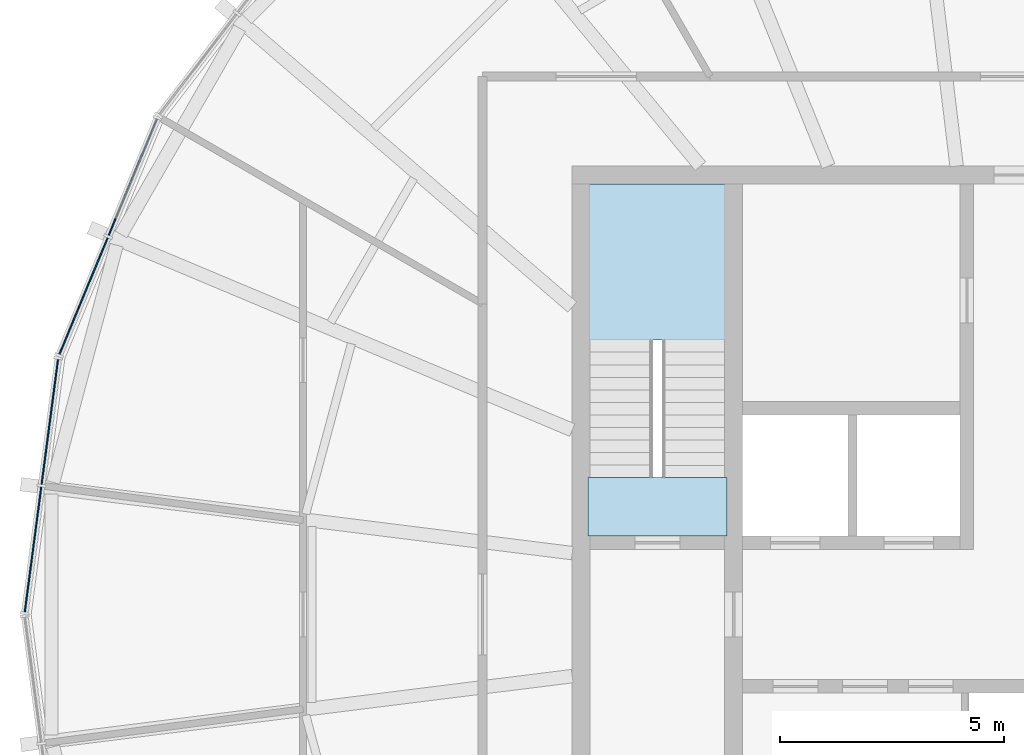
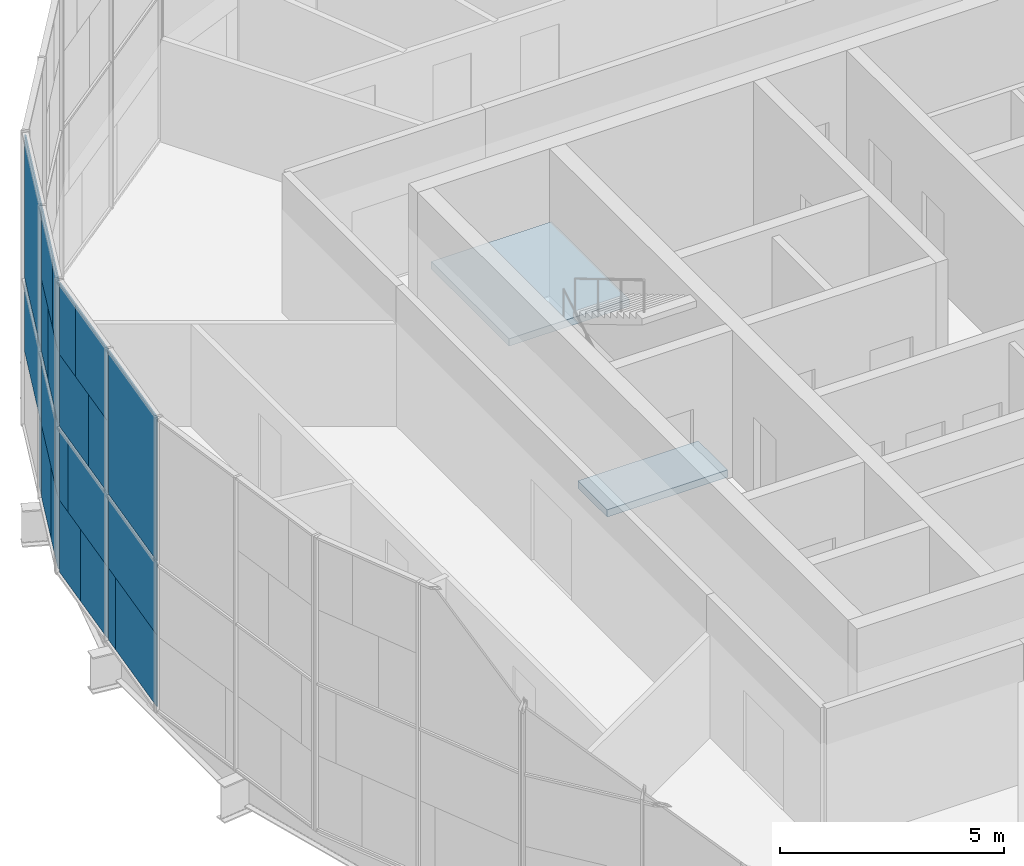
# One storey, part 10 of 19: 23 plates, 2 slabs, 3 elements without a shape of their own.
"""IFC4 building model written with IfcOpenShell, lengths in metres."""

from ifc_helpers import new_model, si_unit, direction, frame, origin, origin_2d, place, context, subcontext, project, spatial, polyline, rectangle, outline, extrude, material, layer, layer_set, type_object, element, aggregate, save


model = new_model("IFC4")

# Units and contexts
model_context = context("Model", 3, precision=1e-05, world=origin(), true_north=direction((0.0, 1.0)))
body_context = subcontext(model_context, "Body", "Model", "MODEL_VIEW")
ifc_project = project(units=[si_unit("LENGTHUNIT", "METRE"), si_unit("AREAUNIT", "SQUARE_METRE"), si_unit("VOLUMEUNIT", "CUBIC_METRE"), si_unit("PLANEANGLEUNIT", "RADIAN"), si_unit("MASSUNIT", "GRAM", prefix="KILO")], contexts=[model_context])

# Site, building, storey
site_placement = place(None, origin())
site = spatial("IfcSite", under=ifc_project, at=site_placement, CompositionType="ELEMENT")
building_placement = place(site_placement, origin())
building = spatial("IfcBuilding", under=site, at=building_placement, Name="Golbaran Civic Tower", CompositionType="ELEMENT")
storey_placement = place(building_placement, frame((0.0, 0.0, 256.0)))
storey = spatial("IfcBuildingStorey", under=building, at=storey_placement, Name="L62", CompositionType="ELEMENT", Elevation=256.0)

# Curtain wall, plates
ifc_material_1 = material(Name="Aluminium and glass", Category="aluminium")
curtain_wall_type = type_object("IfcCurtainWallType", Name="INNER SKIN CURTAIN WALL EXECUTIVE", PredefinedType="NOTDEFINED", material=ifc_material_1)
curtain_wall_1_placement = place(storey_placement, origin())
curtain_wall_1 = element("IfcCurtainWall", 1, at=curtain_wall_1_placement, inside=storey, type_object=curtain_wall_type, Name="Inner skin L62 facet 11 CW2", ObjectType="INNER SKIN", PredefinedType="USERDEFINED")
ifc_material_2 = material(Name="Clear insulating glass", Category="glass")
ifc_layer_1 = layer(ifc_material_2, 0.031982421875, Name="Clear insulating glass")
ifc_layer_set_1 = layer_set([ifc_layer_1], Name="Clear insulating glass")
plate_type_1 = type_object("IfcPlateType", Name="INNER SKIN CURTAIN WALL EXECUTIVE GLAZED PANEL", PredefinedType="CURTAIN_PANEL", material=ifc_layer_set_1)
plate_1_placement = place(storey_placement, frame((-19.797607421875, 9.75341796875, 2.014892578125), z_axis=(0.0, 0.0, 1.0), x_axis=(-0.382683432365, -0.923879532511, 0.0)))
plate_1 = element("IfcPlate", 2, at=plate_1_placement, type_object=plate_type_1, Name="CW2 panel 1.1 part 3", PredefinedType="CURTAIN_PANEL", context=body_context, shape_type="SweptSolid", body=[
    extrude(rectangle(XDim=2.809326171875, YDim=0.031982421875, at=origin_2d()), origin(), (0.0, 0.0, 1.0), 1.955078125),
])
plate_2_placement = place(storey_placement, frame((-19.797607421875, 9.75341796875, 4.0302734375), z_axis=(0.0, 0.0, 1.0), x_axis=(-0.382683432365, -0.923879532511, 0.0)))
plate_2 = element("IfcPlate", 3, at=plate_2_placement, type_object=plate_type_1, Name="CW2 panel 1.2", PredefinedType="CURTAIN_PANEL", context=body_context, shape_type="SweptSolid", body=[
    extrude(rectangle(XDim=2.809326171875, YDim=0.031982421875, at=origin_2d()), origin(), (0.0, 0.0, 1.0), 3.909912109375),
])
plate_3_placement = place(storey_placement, frame((-21.1982421875, 6.37158203125, 0.06005859375), z_axis=(0.0, 0.0, 1.0), x_axis=(-0.382683432365, -0.923879532511, 0.0)))
plate_3 = element("IfcPlate", 4, at=plate_3_placement, type_object=plate_type_1, Name="CW2 panel 2.1 part 2", PredefinedType="CURTAIN_PANEL", context=body_context, shape_type="SweptSolid", body=[
    extrude(rectangle(XDim=1.227294921875, YDim=0.031982421875, at=origin_2d()), origin(), (0.0, 0.0, 1.0), 1.955078125),
])
plate_4_placement = place(storey_placement, frame((-21.33984375, 6.02978515625, 2.014892578125), z_axis=(0.0, 0.0, 1.0), x_axis=(-0.382683432365, -0.923879532511, 0.0)))
plate_4 = element("IfcPlate", 5, at=plate_4_placement, type_object=plate_type_1, Name="CW2 panel 2.1 part 4", PredefinedType="CURTAIN_PANEL", context=body_context, shape_type="SweptSolid", body=[
    extrude(rectangle(XDim=0.4873046875, YDim=0.031982421875, at=origin_2d()), origin(), (0.0, 0.0, 1.0), 1.955078125),
])
plate_5_placement = place(storey_placement, frame((-20.572021484375, 7.883544921875, 4.030029296875), z_axis=(0.0, 0.0, 1.0), x_axis=(-0.382683432365, -0.923879532511, 0.0)))
plate_5 = element("IfcPlate", 6, at=plate_5_placement, type_object=plate_type_1, Name="CW2 panel 2.2 part 1", PredefinedType="CURTAIN_PANEL", context=body_context, shape_type="SweptSolid", body=[
    extrude(rectangle(XDim=1.117919921875, YDim=0.031982421875, at=origin_2d()), origin(), (0.0, 0.0, 1.0), 1.955078125),
])
plate_6_placement = place(storey_placement, frame((-20.71337890625, 7.542236328125, 5.98486328125), z_axis=(0.0, 0.0, 1.0), x_axis=(-0.382683432365, -0.923879532511, 0.0)))
plate_6 = element("IfcPlate", 7, at=plate_6_placement, type_object=plate_type_1, Name="CW2 panel 2.2 part 3", PredefinedType="CURTAIN_PANEL", context=body_context, shape_type="SweptSolid", body=[
    extrude(rectangle(XDim=1.85693359375, YDim=0.031982421875, at=origin_2d()), origin(), (0.0, 0.0, 1.0), 1.955078125),
])

curtain_wall_2_placement = place(storey_placement, origin())
curtain_wall_2 = element("IfcCurtainWall", 8, at=curtain_wall_2_placement, inside=storey, type_object=curtain_wall_type, Name="Inner skin L62 facet 12 CW2", ObjectType="INNER SKIN", PredefinedType="USERDEFINED")
plate_7_placement = place(storey_placement, frame((-21.5439453125, 5.081298828125, 0.06005859375), z_axis=(0.0, 0.0, 1.0), x_axis=(-0.130526192272, -0.991444861367, 0.0)))
plate_7 = element("IfcPlate", 9, at=plate_7_placement, type_object=plate_type_1, Name="CW2 panel 1.1 part 1", PredefinedType="CURTAIN_PANEL", context=body_context, shape_type="SweptSolid", body=[
    extrude(rectangle(XDim=1.22705078125, YDim=0.031982421875, at=origin_2d()), origin(), (0.0, 0.0, 1.0), 1.955078125),
])
plate_8_placement = place(storey_placement, frame((-21.495849609375, 5.44775390625, 2.014892578125), z_axis=(0.0, 0.0, 1.0), x_axis=(-0.130526192272, -0.991444861367, 0.0)))
plate_8 = element("IfcPlate", 10, at=plate_8_placement, type_object=plate_type_1, Name="CW2 panel 1.1 part 3", PredefinedType="CURTAIN_PANEL", context=body_context, shape_type="SweptSolid", body=[
    extrude(rectangle(XDim=0.488037109375, YDim=0.031982421875, at=origin_2d()), origin(), (0.0, 0.0, 1.0), 1.955078125),
])
plate_9_placement = place(storey_placement, frame((-21.7578125, 3.458251953125, 4.030029296875), z_axis=(0.0, 0.0, 1.0), x_axis=(-0.130526192272, -0.991444861367, 0.0)))
plate_9 = element("IfcPlate", 11, at=plate_9_placement, type_object=plate_type_1, Name="CW2 panel 1.2 part 2", PredefinedType="CURTAIN_PANEL", context=body_context, shape_type="SweptSolid", body=[
    extrude(rectangle(XDim=1.117431640625, YDim=0.031982421875, at=origin_2d()), origin(), (0.0, 0.0, 1.0), 1.955078125),
])
plate_10_placement = place(storey_placement, frame((-21.70947265625, 3.824951171875, 5.98486328125), z_axis=(0.0, 0.0, 1.0), x_axis=(-0.130526192272, -0.991444861367, 0.0)))
plate_10 = element("IfcPlate", 12, at=plate_10_placement, type_object=plate_type_1, Name="CW2 panel 1.2 part 4", PredefinedType="CURTAIN_PANEL", context=body_context, shape_type="SweptSolid", body=[
    extrude(rectangle(XDim=1.857421875, YDim=0.031982421875, at=origin_2d()), origin(), (0.0, 0.0, 1.0), 1.955078125),
])
plate_11_placement = place(storey_placement, frame((-22.0478515625, 1.25390625, 0.06005859375), z_axis=(0.0, 0.0, 1.0), x_axis=(-0.130526192272, -0.991444861367, 0.0)))
plate_11 = element("IfcPlate", 13, at=plate_11_placement, type_object=plate_type_1, Name="CW2 panel 2.1 part 2", PredefinedType="CURTAIN_PANEL", context=body_context, shape_type="SweptSolid", body=[
    extrude(rectangle(XDim=2.409423828125, YDim=0.031982421875, at=origin_2d()), origin(), (0.0, 0.0, 1.0), 1.955078125),
])
plate_12_placement = place(storey_placement, frame((-22.021728515625, 1.4521484375, 2.014892578125), z_axis=(0.0, 0.0, 1.0), x_axis=(-0.130526192272, -0.991444861367, 0.0)))
plate_12 = element("IfcPlate", 14, at=plate_12_placement, type_object=plate_type_1, Name="CW2 panel 2.1 part 3", PredefinedType="CURTAIN_PANEL", context=body_context, shape_type="SweptSolid", body=[
    extrude(rectangle(XDim=2.809326171875, YDim=0.031982421875, at=origin_2d()), origin(), (0.0, 0.0, 1.0), 1.955078125),
])
plate_13_placement = place(storey_placement, frame((-22.021728515625, 1.4521484375, 4.0302734375), z_axis=(0.0, 0.0, 1.0), x_axis=(-0.130526192272, -0.991444861367, 0.0)))
plate_13 = element("IfcPlate", 15, at=plate_13_placement, type_object=plate_type_1, Name="CW2 panel 2.2", PredefinedType="CURTAIN_PANEL", context=body_context, shape_type="SweptSolid", body=[
    extrude(rectangle(XDim=2.809326171875, YDim=0.031982421875, at=origin_2d()), origin(), (0.0, 0.0, 1.0), 3.909912109375),
])

# Plate
ifc_material_3 = material(Name="Aluminium faced opaque infill panel", Category="aluminium")
ifc_layer_2 = layer(ifc_material_3, 0.031982421875, Name="Aluminium faced opaque infill panel")
ifc_layer_set_2 = layer_set([ifc_layer_2], Name="Aluminium faced opaque infill panel")
plate_type_2 = type_object("IfcPlateType", Name="INNER SKIN CURTAIN WALL EXECUTIVE OPAQUE INFILL PANEL", PredefinedType="CURTAIN_PANEL", material=ifc_layer_set_2)
plate_14_placement = place(storey_placement, frame((-20.25830078125, 8.640869140625, 0.06005859375), z_axis=(0.0, 0.0, 1.0), x_axis=(-0.382683432365, -0.923879532511, 0.0)))
plate_14 = element("IfcPlate", 16, at=plate_14_placement, type_object=plate_type_2, Name="CW2 infill panel 1.1 part 2", PredefinedType="CURTAIN_PANEL", context=body_context, shape_type="SweptSolid", body=[
    extrude(rectangle(XDim=0.4013671875, YDim=0.031982421875, at=origin_2d()), origin(), (0.0, 0.0, 1.0), 1.955078125),
])

plate_15_placement = place(storey_placement, frame((-20.66064453125, 7.66943359375, 0.06005859375), z_axis=(0.0, 0.0, 1.0), x_axis=(-0.382683432365, -0.923879532511, 0.0)))
plate_15 = element("IfcPlate", 17, at=plate_15_placement, type_object=plate_type_2, Name="CW2 infill panel 2.1 part 1", PredefinedType="CURTAIN_PANEL", context=body_context, shape_type="SweptSolid", body=[
    extrude(rectangle(XDim=1.58203125, YDim=0.031982421875, at=origin_2d()), origin(), (0.0, 0.0, 1.0), 1.955078125),
])

plate_16_placement = place(storey_placement, frame((-20.80224609375, 7.327392578125, 2.014892578125), z_axis=(0.0, 0.0, 1.0), x_axis=(-0.382683432365, -0.923879532511, 0.0)))
plate_16 = element("IfcPlate", 18, at=plate_16_placement, type_object=plate_type_2, Name="CW2 infill panel 2.1 part 3", PredefinedType="CURTAIN_PANEL", context=body_context, shape_type="SweptSolid", body=[
    extrude(rectangle(XDim=2.322021484375, YDim=0.031982421875, at=origin_2d()), origin(), (0.0, 0.0, 1.0), 1.955078125),
])

plate_17_placement = place(storey_placement, frame((-21.109619140625, 6.5859375, 4.030029296875), z_axis=(0.0, 0.0, 1.0), x_axis=(-0.382683432365, -0.923879532511, 0.0)))
plate_17 = element("IfcPlate", 19, at=plate_17_placement, type_object=plate_type_2, Name="CW2 infill panel 2.2 part 2", PredefinedType="CURTAIN_PANEL", context=body_context, shape_type="SweptSolid", body=[
    extrude(rectangle(XDim=1.69140625, YDim=0.031982421875, at=origin_2d()), origin(), (0.0, 0.0, 1.0), 1.955078125),
])

plate_18_placement = place(storey_placement, frame((-21.2509765625, 6.24462890625, 5.98486328125), z_axis=(0.0, 0.0, 1.0), x_axis=(-0.382683432365, -0.923879532511, 0.0)))
plate_18 = element("IfcPlate", 20, at=plate_18_placement, type_object=plate_type_2, Name="CW2 infill panel 2.2 part 4", PredefinedType="CURTAIN_PANEL", context=body_context, shape_type="SweptSolid", body=[
    extrude(rectangle(XDim=0.952392578125, YDim=0.031982421875, at=origin_2d()), origin(), (0.0, 0.0, 1.0), 1.955078125),
])

aggregate(curtain_wall_1, [plate_14, plate_1, plate_2, plate_15, plate_3, plate_16, plate_4, plate_5, plate_17, plate_6, plate_18])

plate_19_placement = place(storey_placement, frame((-21.727294921875, 3.688720703125, 0.06005859375), z_axis=(0.0, 0.0, 1.0), x_axis=(-0.130526192272, -0.991444861367, 0.0)))
plate_19 = element("IfcPlate", 21, at=plate_19_placement, type_object=plate_type_2, Name="CW2 infill panel 1.1 part 2", PredefinedType="CURTAIN_PANEL", context=body_context, shape_type="SweptSolid", body=[
    extrude(rectangle(XDim=1.582275390625, YDim=0.031982421875, at=origin_2d()), origin(), (0.0, 0.0, 1.0), 1.955078125),
])

plate_20_placement = place(storey_placement, frame((-21.67919921875, 4.05517578125, 2.014892578125), z_axis=(0.0, 0.0, 1.0), x_axis=(-0.130526192272, -0.991444861367, 0.0)))
plate_20 = element("IfcPlate", 22, at=plate_20_placement, type_object=plate_type_2, Name="CW2 infill panel 1.1 part 4", PredefinedType="CURTAIN_PANEL", context=body_context, shape_type="SweptSolid", body=[
    extrude(rectangle(XDim=2.3212890625, YDim=0.031982421875, at=origin_2d()), origin(), (0.0, 0.0, 1.0), 1.955078125),
])

plate_21_placement = place(storey_placement, frame((-21.574462890625, 4.850830078125, 4.030029296875), z_axis=(0.0, 0.0, 1.0), x_axis=(-0.130526192272, -0.991444861367, 0.0)))
plate_21 = element("IfcPlate", 23, at=plate_21_placement, type_object=plate_type_2, Name="CW2 infill panel 1.2 part 1", PredefinedType="CURTAIN_PANEL", context=body_context, shape_type="SweptSolid", body=[
    extrude(rectangle(XDim=1.69189453125, YDim=0.031982421875, at=origin_2d()), origin(), (0.0, 0.0, 1.0), 1.955078125),
])

plate_22_placement = place(storey_placement, frame((-21.526123046875, 5.2177734375, 5.98486328125), z_axis=(0.0, 0.0, 1.0), x_axis=(-0.130526192272, -0.991444861367, 0.0)))
plate_22 = element("IfcPlate", 24, at=plate_22_placement, type_object=plate_type_2, Name="CW2 infill panel 1.2 part 3", PredefinedType="CURTAIN_PANEL", context=body_context, shape_type="SweptSolid", body=[
    extrude(rectangle(XDim=0.951904296875, YDim=0.031982421875, at=origin_2d()), origin(), (0.0, 0.0, 1.0), 1.955078125),
])

plate_23_placement = place(storey_placement, frame((-21.864501953125, 2.646484375, 0.06005859375), z_axis=(0.0, 0.0, 1.0), x_axis=(-0.130526192272, -0.991444861367, 0.0)))
plate_23 = element("IfcPlate", 25, at=plate_23_placement, type_object=plate_type_2, Name="CW2 infill panel 2.1 part 1", PredefinedType="CURTAIN_PANEL", context=body_context, shape_type="SweptSolid", body=[
    extrude(rectangle(XDim=0.39990234375, YDim=0.031982421875, at=origin_2d()), origin(), (0.0, 0.0, 1.0), 1.955078125),
])

aggregate(curtain_wall_2, [plate_7, plate_19, plate_8, plate_20, plate_21, plate_9, plate_22, plate_10, plate_23, plate_11, plate_12, plate_13])

# Stair, slab
ifc_material_4 = material(Name="Concrete C35/45", Category="concrete")
stair_type = type_object("IfcStairType", Name="EXIT STAIR 3000 x 7850, 4000 RISE", PredefinedType="HALF_TURN_STAIR", material=ifc_material_4)
stair_placement = place(storey_placement, origin())
stair = element("IfcStair", 26, at=stair_placement, inside=storey, type_object=stair_type, Name="Stair S1 L62", PredefinedType="HALF_TURN_STAIR")
ifc_layer_3 = layer(ifc_material_4, 0.199951171875, Name="Concrete C35/45")
ifc_layer_set_3 = layer_set([ifc_layer_3], Name="Concrete C35/45")
slab_type = type_object("IfcSlabType", Name="STAIR LANDING 200", PredefinedType="LANDING", material=ifc_layer_set_3)
slab_1_placement = place(storey_placement, frame((0.0, 0.0, 1.800048828125)))
slab_1 = element("IfcSlab", 27, at=slab_1_placement, type_object=slab_type, Name="ST30078-40 landing 1", PredefinedType="LANDING", context=body_context, shape_type="SweptSolid", body=[
    extrude(outline(polyline([(-9.64990234375, 6.125), (-9.64990234375, 9.60009765625), (-6.550048828125, 9.60009765625), (-6.550048828125, 6.125), (-9.64990234375, 6.125)])), origin(), (0.0, 0.0, 1.0), 0.199951171875),
])
aggregate(stair, [slab_1])

# Slab
slab_2_placement = place(storey_placement, frame((0.0, 0.0, -0.199951171875)))
element("IfcSlab", 28, at=slab_2_placement, inside=storey, type_object=slab_type, Name="Stair S1 floor landing L62", PredefinedType="LANDING", context=body_context, shape_type="SweptSolid", body=[
    extrude(outline(polyline([(-9.64990234375, 1.75), (-9.64990234375, 3.054931640625), (-6.550048828125, 3.054931640625), (-6.550048828125, 1.75), (-9.64990234375, 1.75)])), origin(), (0.0, 0.0, 1.0), 0.199951171875),
])

save(model, "model.ifc")
